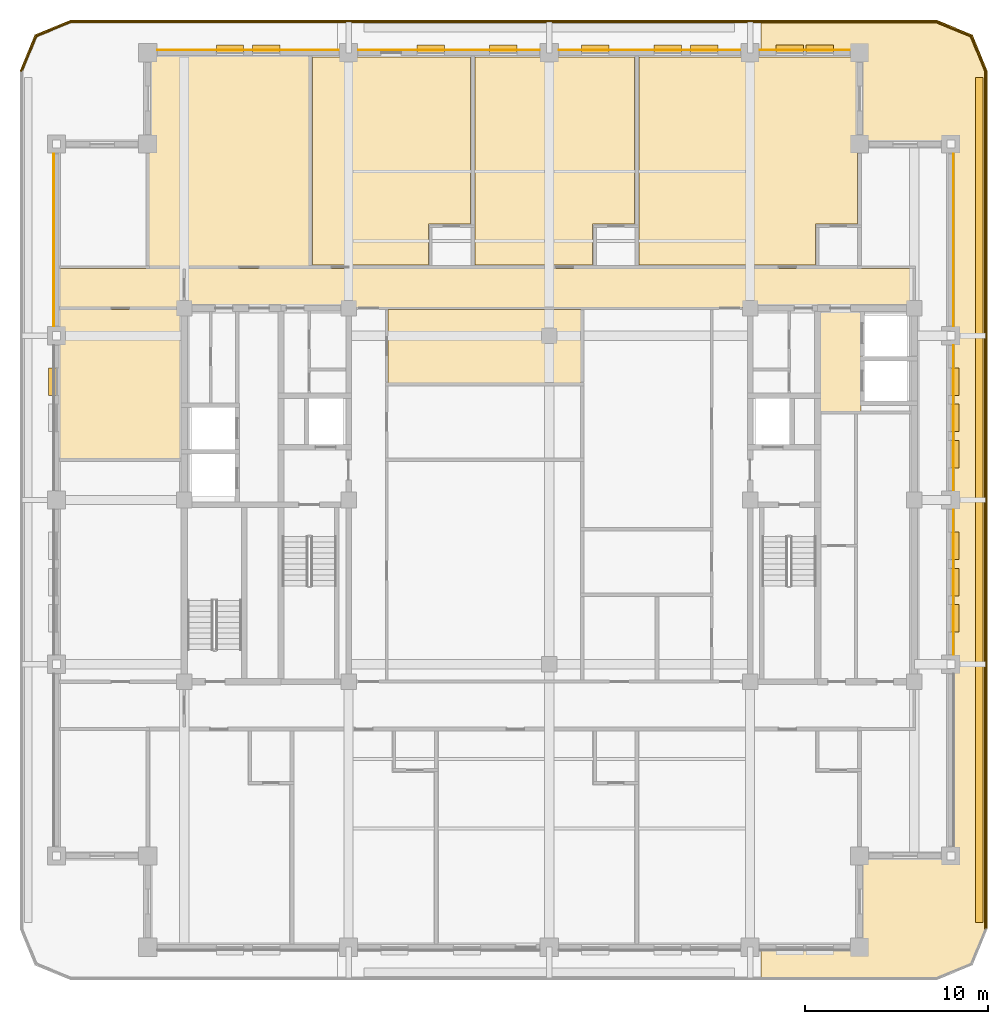
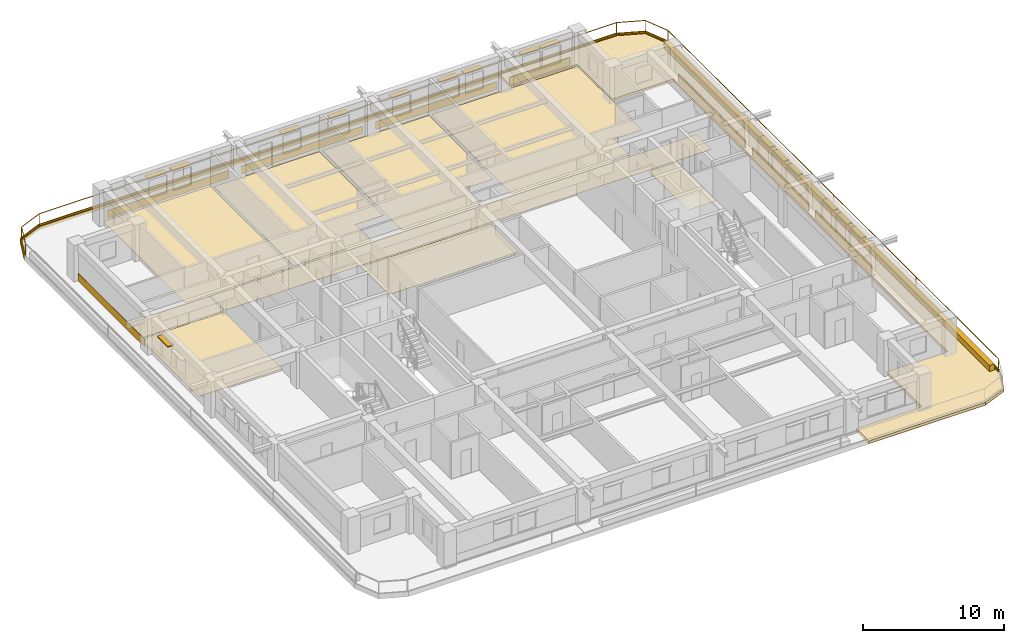
# One storey, part 14 of 14: 25 coverings, 16 shading devices, 2 railings.
"""IFC4 building model written with IfcOpenShell, lengths in metres."""

from ifc_helpers import new_model, si_unit, direction, frame, frame_2d, origin, origin_2d, place, context, subcontext, project, spatial, polyline, rectangle, outline, extrude, material, layer, layer_set, type_object, element, save


model = new_model("IFC4")

# Units and contexts
model_context = context("Model", 3, precision=1e-05, world=origin(), true_north=direction((0.0, 1.0)))
body_context = subcontext(model_context, "Body", "Model", "MODEL_VIEW")
ifc_project = project(units=[si_unit("LENGTHUNIT", "METRE"), si_unit("AREAUNIT", "SQUARE_METRE"), si_unit("VOLUMEUNIT", "CUBIC_METRE"), si_unit("PLANEANGLEUNIT", "RADIAN"), si_unit("MASSUNIT", "GRAM", prefix="KILO")], contexts=[model_context])

# Site, building, storey
site_placement = place(None, origin())
site = spatial("IfcSite", under=ifc_project, at=site_placement, CompositionType="ELEMENT")
building_placement = place(site_placement, origin())
building = spatial("IfcBuilding", under=site, at=building_placement, Name="Zulmaris Gate Convention Tower", CompositionType="ELEMENT")
storey_placement = place(building_placement, frame((0.0, 0.0, 205.06005859375)))
storey = spatial("IfcBuildingStorey", under=building, at=storey_placement, Name="L53", CompositionType="ELEMENT", Elevation=205.06005859375)

# Coverings
ifc_material_1 = material(Name="Precast concrete C40/50", Category="concrete")
ifc_layer_1 = layer(ifc_material_1, 0.0400390625, Name="Precast concrete C40/50")
ifc_layer_set_1 = layer_set([ifc_layer_1], Name="Precast concrete C40/50")
covering_type_1 = type_object("IfcCoveringType", Name="CLAD-SPANDREL-PRECAST", PredefinedType="CLADDING", material=ifc_layer_set_1)
for number, where, z_axis, x_axis, name in (
    (1, (-11.530029296875, 24.64990234375, 0.0), (0.0, 0.0, 1.0), (-1.0, 0.0, 0.0), "CLD-L53-N-0_0"),
    (2, (-0.530029296875, 24.64990234375, 0.0), (0.0, 0.0, 1.0), (-1.0, 0.0, 0.0), "CLD-L53-N-1_0"),
    (3, (10.469970703125, 24.64990234375, 0.0), (0.0, 0.0, 1.0), (-1.0, 0.0, 0.0), "CLD-L53-N-2_0"),
):
    element("IfcCovering", number, at=place(storey_placement, frame(where, z_axis=z_axis, x_axis=x_axis)), inside=storey, type_object=covering_type_1, Name=name, PredefinedType="CLADDING", context=body_context, shape_type="SweptSolid", body=[
        extrude(rectangle(XDim=9.93994140625, YDim=0.0400390625, at=frame_2d((4.969970703125, 0.0))), origin(), (0.0, 0.0, 1.0), 0.679931640625),
    ])
covering_1_placement = place(storey_placement, frame((16.469970703125, 24.64990234375, 0.0), z_axis=(0.0, 0.0, 1.0), x_axis=(-1.0, 0.0, 0.0)))
element("IfcCovering", 4, at=covering_1_placement, inside=storey, type_object=covering_type_1, Name="CLD-L53-N-3_0", PredefinedType="CLADDING", context=body_context, shape_type="SweptSolid", body=[
    extrude(rectangle(XDim=4.93994140625, YDim=0.0400390625, at=frame_2d((2.469970703125, 0.0))), origin(), (0.0, 0.0, 1.0), 0.679931640625),
])
for number, where, z_axis, x_axis, name in (
    (5, (22.14990234375, -8.469970703125, 0.0), (0.0, 0.0, 1.0), (0.0, 1.0, 0.0), "CLD-L53-E-1_0"),
    (6, (22.14990234375, 0.530029296875, 0.0), (0.0, 0.0, 1.0), (0.0, 1.0, 0.0), "CLD-L53-E-2_0"),
):
    element("IfcCovering", number, at=place(storey_placement, frame(where, z_axis=z_axis, x_axis=x_axis)), inside=storey, type_object=covering_type_1, Name=name, PredefinedType="CLADDING", context=body_context, shape_type="SweptSolid", body=[
        extrude(rectangle(XDim=7.93994140625, YDim=0.0400390625, at=frame_2d((3.969970703125, 0.0))), origin(), (0.0, 0.0, 1.0), 0.679931640625),
    ])
for number, where, z_axis, x_axis, name in (
    (7, (22.14990234375, 9.530029296875, 0.0), (0.0, 0.0, 1.0), (0.0, 1.0, 0.0), "CLD-L53-E-3_0"),
    (8, (-27.14990234375, 18.969970703125, 0.0), (0.0, 0.0, 1.0), (0.0, -1.0, 0.0), "CLD-L53-W-3_0"),
):
    element("IfcCovering", number, at=place(storey_placement, frame(where, z_axis=z_axis, x_axis=x_axis)), inside=storey, type_object=covering_type_1, Name=name, PredefinedType="CLADDING", context=body_context, shape_type="SweptSolid", body=[
        extrude(rectangle(XDim=9.43994140625, YDim=0.0400390625, at=frame_2d((4.719970703125, 0.0))), origin(), (0.0, 0.0, 1.0), 0.679931640625),
    ])
ifc_material_2 = material(Name="White Glazed Architectural Precast Concrete C40/50", Category="concrete")
ifc_layer_2 = layer(ifc_material_2, 0.239990234375, Name="White Glazed Architectural Precast Concrete C40/50")
ifc_layer_set_2 = layer_set([ifc_layer_2], Name="White Glazed Architectural Precast Concrete C40/50")
covering_type_2 = type_object("IfcCoveringType", Name="CLAD-TRAY-DECK", PredefinedType="CLADDING", material=ifc_layer_set_2)
covering_2_placement = place(storey_placement, frame((0.0, 0.0, -0.25)))
element("IfcCovering", 9, at=covering_2_placement, inside=storey, type_object=covering_type_2, Name="L53 East Rounded-Fascia Planter Tray Deck", PredefinedType="CLADDING", context=body_context, shape_type="SweptSolid", body=[
    extrude(outline(polyline([(21.199951171875, 26.300048828125), (23.179931640625, 25.47998046875), (24.0, 23.5), (24.0, -23.5), (23.179931640625, -25.47998046875), (21.199951171875, -26.300048828125), (11.60205078125, -26.300048828125), (11.60205078125, -24.5), (17.0, -24.5), (17.0, -19.5), (22.0, -19.5), (22.0, 19.5), (17.0, 19.5), (17.0, 24.5), (11.60205078125, 24.5), (11.60205078125, 26.300048828125), (21.199951171875, 26.300048828125)])), origin(), (0.0, 0.0, 1.0), 0.239990234375),
])
ifc_layer_3 = layer(ifc_material_2, 0.080078125, Name="White Glazed Architectural Precast Concrete C40/50")
ifc_layer_set_3 = layer_set([ifc_layer_3], Name="White Glazed Architectural Precast Concrete C40/50")
covering_type_3 = type_object("IfcCoveringType", Name="CLAD-TRAY-FASCIA", PredefinedType="CLADDING", material=ifc_layer_set_3)
covering_3_placement = place(storey_placement, frame((23.9599609375, -23.5, -0.2900390625), z_axis=(0.0, 0.0, 1.0), x_axis=(0.0, 1.0, 0.0)))
element("IfcCovering", 10, at=covering_3_placement, inside=storey, type_object=covering_type_3, Name="FSC-L53-TR-05", PredefinedType="CLADDING", context=body_context, shape_type="SweptSolid", body=[
    extrude(rectangle(XDim=47.0, YDim=0.080078125, at=frame_2d((23.5, 0.0))), origin(), (0.0, 0.0, 1.0), 0.440185546875),
])
covering_4_placement = place(storey_placement, frame((23.962890625, 23.484619140625, -0.2900390625), z_axis=(0.0, 0.0, 1.0), x_axis=(-0.382656984709, 0.923890487046, 0.0)))
element("IfcCovering", 11, at=covering_4_placement, inside=storey, type_object=covering_type_3, Name="FSC-L53-TR-06", PredefinedType="CLADDING", context=body_context, shape_type="SweptSolid", body=[
    extrude(rectangle(XDim=2.14306640625, YDim=0.080078125, at=frame_2d((1.071533203125, 0.0))), origin(), (0.0, 0.0, 1.0), 0.440185546875),
])
covering_5_placement = place(storey_placement, frame((23.16455078125, 25.44287109375, -0.2900390625), z_axis=(0.0, 0.0, 1.0), x_axis=(-0.923873803533, 0.382697263049, 0.0)))
element("IfcCovering", 12, at=covering_5_placement, inside=storey, type_object=covering_type_3, Name="FSC-L53-TR-07", PredefinedType="CLADDING", context=body_context, shape_type="SweptSolid", body=[
    extrude(rectangle(XDim=2.142822265625, YDim=0.080078125, at=frame_2d((1.0712890625, 0.0))), origin(), (0.0, 0.0, 1.0), 0.440185546875),
])
covering_6_placement = place(storey_placement, frame((21.199951171875, 26.260009765625, -0.2900390625), z_axis=(0.0, 0.0, 1.0), x_axis=(-1.0, 0.0, 0.0)))
element("IfcCovering", 13, at=covering_6_placement, inside=storey, type_object=covering_type_3, Name="FSC-L53-TR-08", PredefinedType="CLADDING", context=body_context, shape_type="SweptSolid", body=[
    extrude(rectangle(XDim=47.39990234375, YDim=0.080078125, at=frame_2d((23.699951171875, 0.0))), origin(), (0.0, 0.0, 1.0), 0.440185546875),
])
covering_7_placement = place(storey_placement, frame((-26.184814453125, 26.262939453125, -0.2900390625), z_axis=(0.0, 0.0, 1.0), x_axis=(-0.923873803533, -0.382697263049, 0.0)))
element("IfcCovering", 14, at=covering_7_placement, inside=storey, type_object=covering_type_3, Name="FSC-L53-TR-09", PredefinedType="CLADDING", context=body_context, shape_type="SweptSolid", body=[
    extrude(rectangle(XDim=2.142822265625, YDim=0.080078125, at=frame_2d((1.0712890625, 0.0))), origin(), (0.0, 0.0, 1.0), 0.440185546875),
])
covering_8_placement = place(storey_placement, frame((-28.142822265625, 25.464599609375, -0.2900390625), z_axis=(0.0, 0.0, 1.0), x_axis=(-0.382656984709, -0.923890487046, 0.0)))
element("IfcCovering", 15, at=covering_8_placement, inside=storey, type_object=covering_type_3, Name="FSC-L53-TR-10", PredefinedType="CLADDING", context=body_context, shape_type="SweptSolid", body=[
    extrude(rectangle(XDim=2.14306640625, YDim=0.080078125, at=frame_2d((1.071533203125, 0.0))), origin(), (0.0, 0.0, 1.0), 0.440185546875),
])
ifc_material_3 = material(Name="Woven Acoustic Wool Carpet Tile")
ifc_layer_4 = layer(ifc_material_3, 0.02001953125, Name="Woven Acoustic Wool Carpet Tile")
ifc_layer_set_4 = layer_set([ifc_layer_4], Name="Woven Acoustic Wool Carpet Tile")
covering_type_4 = type_object("IfcCoveringType", Name="FLR-CARPET-12", PredefinedType="FLOORING", material=ifc_layer_set_4)
covering_9_placement = place(storey_placement, origin())
element("IfcCovering", 16, at=covering_9_placement, inside=storey, type_object=covering_type_4, Name="FLR-L53-R26", PredefinedType="FLOORING", context=body_context, shape_type="SweptSolid", body=[
    extrude(outline(polyline([(14.760009765625, 4.860107421875), (17.090087890625, 4.860107421875), (17.090087890625, 10.43994140625), (14.760009765625, 10.43994140625), (14.760009765625, 4.860107421875)])), origin(), (0.0, 0.0, 1.0), 0.02001953125),
])
covering_10_placement = place(storey_placement, origin())
element("IfcCovering", 17, at=covering_10_placement, inside=storey, type_object=covering_type_4, Name="FLR-L53-R32", PredefinedType="FLOORING", context=body_context, shape_type="SweptSolid", body=[
    extrude(outline(polyline([(-19.93994140625, 10.56005859375), (19.93994140625, 10.56005859375), (19.93994140625, 12.68994140625), (-19.93994140625, 12.68994140625), (-19.93994140625, 10.56005859375)])), origin(), (0.0, 0.0, 1.0), 0.02001953125),
])
covering_11_placement = place(storey_placement, origin())
element("IfcCovering", 18, at=covering_11_placement, inside=storey, type_object=covering_type_4, Name="FLR-L53-R58", PredefinedType="FLOORING", context=body_context, shape_type="SweptSolid", body=[
    extrude(outline(polyline([(-26.93994140625, 10.56005859375), (-20.06005859375, 10.56005859375), (-20.06005859375, 12.68994140625), (-26.93994140625, 12.68994140625), (-26.93994140625, 10.56005859375)])), origin(), (0.0, 0.0, 1.0), 0.02001953125),
])
ifc_material_4 = material(Name="Engineered Teak Parquet Flooring")
ifc_layer_5 = layer(ifc_material_4, 0.02001953125, Name="Engineered Teak Parquet Flooring")
ifc_layer_set_5 = layer_set([ifc_layer_5], Name="Engineered Teak Parquet Flooring")
covering_type_5 = type_object("IfcCoveringType", Name="FLR-TIMBER-18", PredefinedType="FLOORING", material=ifc_layer_set_5)
covering_12_placement = place(storey_placement, origin())
element("IfcCovering", 19, at=covering_12_placement, inside=storey, type_object=covering_type_5, Name="FLR-L53-R36", PredefinedType="FLOORING", context=body_context, shape_type="SweptSolid", body=[
    extrude(outline(polyline([(-21.93994140625, 12.81005859375), (-13.159912109375, 12.81005859375), (-13.159912109375, 24.43994140625), (-21.93994140625, 24.43994140625), (-21.93994140625, 12.81005859375)])), origin(), (0.0, 0.0, 1.0), 0.02001953125),
])
covering_13_placement = place(storey_placement, origin())
element("IfcCovering", 20, at=covering_13_placement, inside=storey, type_object=covering_type_5, Name="FLR-L53-R38", PredefinedType="FLOORING", context=body_context, shape_type="SweptSolid", body=[
    extrude(outline(polyline([(-12.97998046875, 12.8701171875), (-6.6201171875, 12.8701171875), (-6.6201171875, 15.1201171875), (-4.320068359375, 15.1201171875), (-4.320068359375, 24.260009765625), (-12.97998046875, 24.260009765625), (-12.97998046875, 12.8701171875)])), origin(), (0.0, 0.0, 1.0), 0.02001953125),
])
covering_14_placement = place(storey_placement, origin())
element("IfcCovering", 21, at=covering_14_placement, inside=storey, type_object=covering_type_5, Name="FLR-L53-R40", PredefinedType="FLOORING", context=body_context, shape_type="SweptSolid", body=[
    extrude(outline(polyline([(-4.080078125, 12.8701171875), (2.3798828125, 12.8701171875), (2.3798828125, 15.1201171875), (4.679931640625, 15.1201171875), (4.679931640625, 24.260009765625), (-4.080078125, 24.260009765625), (-4.080078125, 12.8701171875)])), origin(), (0.0, 0.0, 1.0), 0.02001953125),
])
covering_15_placement = place(storey_placement, origin())
element("IfcCovering", 22, at=covering_15_placement, inside=storey, type_object=covering_type_5, Name="FLR-L53-R42", PredefinedType="FLOORING", context=body_context, shape_type="SweptSolid", body=[
    extrude(outline(polyline([(4.919921875, 12.8701171875), (14.580078125, 12.8701171875), (14.580078125, 15.1201171875), (16.8798828125, 15.1201171875), (16.8798828125, 24.260009765625), (4.919921875, 24.260009765625), (4.919921875, 12.8701171875)])), origin(), (0.0, 0.0, 1.0), 0.02001953125),
])
covering_16_placement = place(storey_placement, origin())
element("IfcCovering", 23, at=covering_16_placement, inside=storey, type_object=covering_type_5, Name="FLR-L53-R51", PredefinedType="FLOORING", context=body_context, shape_type="SweptSolid", body=[
    extrude(outline(polyline([(-8.840087890625, 6.409912109375), (1.739990234375, 6.409912109375), (1.739990234375, 10.43994140625), (-8.840087890625, 10.43994140625), (-8.840087890625, 6.409912109375)])), origin(), (0.0, 0.0, 1.0), 0.02001953125),
])
covering_17_placement = place(storey_placement, origin())
element("IfcCovering", 24, at=covering_17_placement, inside=storey, type_object=covering_type_5, Name="FLR-L53-R60", PredefinedType="FLOORING", context=body_context, shape_type="SweptSolid", body=[
    extrude(outline(polyline([(-26.93994140625, 2.260009765625), (-20.06005859375, 2.260009765625), (-20.06005859375, 10.43994140625), (-26.93994140625, 10.43994140625), (-26.93994140625, 2.260009765625)])), origin(), (0.0, 0.0, 1.0), 0.02001953125),
])
ifc_material_5 = material(Name="Botanical Green Glazed Precast Concrete C40/50", Category="concrete")
ifc_layer_6 = layer(ifc_material_5, 0.419921875, Name="Botanical Green Glazed Precast Concrete C40/50")
ifc_layer_set_6 = layer_set([ifc_layer_6], Name="Botanical Green Glazed Precast Concrete C40/50")
covering_type_6 = type_object("IfcCoveringType", Name="PLANTER-BOX-200", PredefinedType="CLADDING", material=ifc_layer_set_6)
covering_18_placement = place(storey_placement, frame((0.0, 0.0, -0.010009765625)))
element("IfcCovering", 25, at=covering_18_placement, inside=storey, type_object=covering_type_6, Name="L53 E Full-Length Balcony Tree Planter Trough", PredefinedType="CLADDING", context=body_context, shape_type="SweptSolid", body=[
    extrude(outline(polyline([(23.340087890625, -23.14990234375), (23.760009765625, -23.14990234375), (23.760009765625, 23.14990234375), (23.340087890625, 23.14990234375), (23.340087890625, -23.14990234375)])), origin(), (0.0, 0.0, 1.0), 0.52001953125),
])

# Railings
ifc_material_6 = material(Name="Laminated Glass and Stainless Steel", Category="steel")
railing_type = type_object("IfcRailingType", Name="RL-BALC-1150", PredefinedType="BALUSTRADE", material=ifc_material_6)
railing_1_placement = place(storey_placement, frame((23.8798828125, -23.5, -0.010009765625)))
element("IfcRailing", 26, at=railing_1_placement, inside=storey, type_object=railing_type, Name="RL-L53-BALC-E", PredefinedType="BALUSTRADE", context=body_context, shape_type="SweptSolid", body=[
    extrude(rectangle(XDim=0.048095703125, YDim=0.048095703125, at=origin_2d()), frame((0.0, 0.0, 1.1259765625), z_axis=(0.0, 1.0, 0.0), x_axis=(-1.0, 0.0, 0.0)), (0.0, 0.0, 1.0), 47.0),
    extrude(rectangle(XDim=0.048095703125, YDim=0.048095703125, at=origin_2d()), frame((0.0, 0.0, 0.02392578125), z_axis=(0.0, 1.0, 0.0), x_axis=(-1.0, 0.0, 0.0)), (0.0, 0.0, 1.0), 47.0),
    extrude(rectangle(XDim=0.0419921875, YDim=0.0419921875, at=origin_2d()), origin(), (0.0, 0.0, 1.0), 1.101806640625),
    extrude(rectangle(XDim=0.0419921875, YDim=0.0419921875, at=origin_2d()), frame((0.0, 11.75, 0.0)), (0.0, 0.0, 1.0), 1.101806640625),
    extrude(rectangle(XDim=0.0419921875, YDim=0.0419921875, at=origin_2d()), frame((0.0, 23.5, 0.0)), (0.0, 0.0, 1.0), 1.101806640625),
    extrude(rectangle(XDim=0.0419921875, YDim=0.0419921875, at=origin_2d()), frame((0.0, 35.25, 0.0)), (0.0, 0.0, 1.0), 1.101806640625),
    extrude(rectangle(XDim=0.0419921875, YDim=0.0419921875, at=origin_2d()), frame((0.0, 47.0, 0.0)), (0.0, 0.0, 1.0), 1.101806640625),
])
railing_2_placement = place(storey_placement, frame((23.8798828125, 23.5, -0.010009765625)))
element("IfcRailing", 27, at=railing_2_placement, inside=storey, type_object=railing_type, Name="RL-L53-BALC-N", PredefinedType="BALUSTRADE", context=body_context, shape_type="SweptSolid", body=[
    extrude(rectangle(XDim=0.048095703125, YDim=0.048095703125, at=origin_2d()), frame((0.0, 0.0, 1.1259765625), z_axis=(-0.382670664694, 0.92388482095, 0.0), x_axis=(-0.92388482095, -0.382670664694, 0.0)), (0.0, 0.0, 1.0), 2.051025390625),
    extrude(rectangle(XDim=0.048095703125, YDim=0.048095703125, at=origin_2d()), frame((0.0, 0.0, 0.02392578125), z_axis=(-0.382670664694, 0.92388482095, 0.0), x_axis=(-0.92388482095, -0.382670664694, 0.0)), (0.0, 0.0, 1.0), 2.051025390625),
    extrude(rectangle(XDim=0.048095703125, YDim=0.048095703125, at=origin_2d()), frame((-0.784912109375, 1.89501953125, 1.1259765625), z_axis=(-0.92388482095, 0.382670664694, 0.0), x_axis=(-0.382670664694, -0.92388482095, 0.0)), (0.0, 0.0, 1.0), 2.051025390625),
    extrude(rectangle(XDim=0.048095703125, YDim=0.048095703125, at=origin_2d()), frame((-0.784912109375, 1.89501953125, 0.02392578125), z_axis=(-0.92388482095, 0.382670664694, 0.0), x_axis=(-0.382670664694, -0.92388482095, 0.0)), (0.0, 0.0, 1.0), 2.051025390625),
    extrude(rectangle(XDim=0.048095703125, YDim=0.048095703125, at=origin_2d()), frame((-2.679931640625, 2.679931640625, 1.1259765625), z_axis=(-1.0, 0.0, 0.0), x_axis=(0.0, -1.0, 0.0)), (0.0, 0.0, 1.0), 47.39990234375),
    extrude(rectangle(XDim=0.048095703125, YDim=0.048095703125, at=origin_2d()), frame((-2.679931640625, 2.679931640625, 0.02392578125), z_axis=(-1.0, 0.0, 0.0), x_axis=(0.0, -1.0, 0.0)), (0.0, 0.0, 1.0), 47.39990234375),
    extrude(rectangle(XDim=0.048095703125, YDim=0.048095703125, at=origin_2d()), frame((-50.079833984375, 2.679931640625, 1.1259765625), z_axis=(-0.92388482095, -0.382670664694, 0.0), x_axis=(0.382670664694, -0.92388482095, 0.0)), (0.0, 0.0, 1.0), 2.051025390625),
    extrude(rectangle(XDim=0.048095703125, YDim=0.048095703125, at=origin_2d()), frame((-50.079833984375, 2.679931640625, 0.02392578125), z_axis=(-0.92388482095, -0.382670664694, 0.0), x_axis=(0.382670664694, -0.92388482095, 0.0)), (0.0, 0.0, 1.0), 2.051025390625),
    extrude(rectangle(XDim=0.048095703125, YDim=0.048095703125, at=origin_2d()), frame((-51.974853515625, 1.89501953125, 1.1259765625), z_axis=(-0.382670664694, -0.92388482095, 0.0), x_axis=(0.92388482095, -0.382670664694, 0.0)), (0.0, 0.0, 1.0), 2.051025390625),
    extrude(rectangle(XDim=0.048095703125, YDim=0.048095703125, at=origin_2d()), frame((-51.974853515625, 1.89501953125, 0.02392578125), z_axis=(-0.382670664694, -0.92388482095, 0.0), x_axis=(0.92388482095, -0.382670664694, 0.0)), (0.0, 0.0, 1.0), 2.051025390625),
    extrude(rectangle(XDim=0.0419921875, YDim=0.0419921875, at=origin_2d()), origin(), (0.0, 0.0, 1.0), 1.101806640625),
    extrude(rectangle(XDim=0.0419921875, YDim=0.0419921875, at=origin_2d()), frame((-0.784912109375, 1.89501953125, 0.0)), (0.0, 0.0, 1.0), 1.101806640625),
    extrude(rectangle(XDim=0.0419921875, YDim=0.0419921875, at=origin_2d()), frame((-2.679931640625, 2.679931640625, 0.0)), (0.0, 0.0, 1.0), 1.101806640625),
    extrude(rectangle(XDim=0.0419921875, YDim=0.0419921875, at=origin_2d()), frame((-14.52978515625, 2.679931640625, 0.0)), (0.0, 0.0, 1.0), 1.101806640625),
    extrude(rectangle(XDim=0.0419921875, YDim=0.0419921875, at=origin_2d()), frame((-26.3798828125, 2.679931640625, 0.0)), (0.0, 0.0, 1.0), 1.101806640625),
    extrude(rectangle(XDim=0.0419921875, YDim=0.0419921875, at=origin_2d()), frame((-38.22998046875, 2.679931640625, 0.0)), (0.0, 0.0, 1.0), 1.101806640625),
    extrude(rectangle(XDim=0.0419921875, YDim=0.0419921875, at=origin_2d()), frame((-50.079833984375, 2.679931640625, 0.0)), (0.0, 0.0, 1.0), 1.101806640625),
    extrude(rectangle(XDim=0.0419921875, YDim=0.0419921875, at=origin_2d()), frame((-51.974853515625, 1.89501953125, 0.0)), (0.0, 0.0, 1.0), 1.101806640625),
    extrude(rectangle(XDim=0.0419921875, YDim=0.0419921875, at=origin_2d()), frame((-52.759765625, 0.0, 0.0)), (0.0, 0.0, 1.0), 1.101806640625),
])

# Shading devices
ifc_material_7 = material(Name="Glazed Ceramic Terracotta", Category="masonry")
ifc_layer_7 = layer(ifc_material_7, 0.070068359375, Name="Glazed Ceramic Terracotta")
ifc_layer_set_7 = layer_set([ifc_layer_7], Name="Glazed Ceramic Terracotta")
shading_device_type = type_object("IfcShadingDeviceType", Name="SHD-SUNSHADE-TC", PredefinedType="AWNING", material=ifc_layer_set_7)
for number, where, z_axis, x_axis, name in (
    (28, (-14.756103515625, 24.719970703125, 2.35009765625), (0.0, 0.0, 1.0), (-1.0, 0.0, 0.0), "SHD-EW-L53-N-0_0-2"),
    (29, (-16.743896484375, 24.719970703125, 2.35009765625), (0.0, 0.0, 1.0), (-1.0, 0.0, 0.0), "SHD-EW-L53-N-0_0-3"),
    (30, (-1.76806640625, 24.719970703125, 2.35009765625), (0.0, 0.0, 1.0), (-1.0, 0.0, 0.0), "SHD-EW-L53-N-1_0-1"),
    (31, (-5.743896484375, 24.719970703125, 2.35009765625), (0.0, 0.0, 1.0), (-1.0, 0.0, 0.0), "SHD-EW-L53-N-1_0-3"),
    (32, (9.23193359375, 24.719970703125, 2.35009765625), (0.0, 0.0, 1.0), (-1.0, 0.0, 0.0), "SHD-EW-L53-N-2_0-1"),
    (33, (7.243896484375, 24.719970703125, 2.35009765625), (0.0, 0.0, 1.0), (-1.0, 0.0, 0.0), "SHD-EW-L53-N-2_0-2"),
    (34, (3.26806640625, 24.719970703125, 2.35009765625), (0.0, 0.0, 1.0), (-1.0, 0.0, 0.0), "SHD-EW-L53-N-2_0-4"),
    (35, (15.572998046875, 24.719970703125, 2.35009765625), (0.0, 0.0, 1.0), (-1.0, 0.0, 0.0), "SHD-EW-L53-N-3_0-1"),
    (36, (13.927001953125, 24.719970703125, 2.35009765625), (0.0, 0.0, 1.0), (-1.0, 0.0, 0.0), "SHD-EW-L53-N-3_0-2"),
    (37, (22.219970703125, -7.235107421875, 2.35009765625), (0.0, 0.0, 1.0), (0.0, 1.0, 0.0), "SHD-EW-L53-E-1_0-1"),
    (38, (22.219970703125, -5.25, 2.35009765625), (0.0, 0.0, 1.0), (0.0, 1.0, 0.0), "SHD-EW-L53-E-1_0-2"),
    (39, (22.219970703125, -3.264892578125, 2.35009765625), (0.0, 0.0, 1.0), (0.0, 1.0, 0.0), "SHD-EW-L53-E-1_0-3"),
    (40, (22.219970703125, 1.764892578125, 2.35009765625), (0.0, 0.0, 1.0), (0.0, 1.0, 0.0), "SHD-EW-L53-E-2_0-1"),
    (41, (22.219970703125, 3.75, 2.35009765625), (0.0, 0.0, 1.0), (0.0, 1.0, 0.0), "SHD-EW-L53-E-2_0-2"),
    (42, (22.219970703125, 5.735107421875, 2.35009765625), (0.0, 0.0, 1.0), (0.0, 1.0, 0.0), "SHD-EW-L53-E-2_0-3"),
    (43, (-27.219970703125, 7.235107421875, 2.35009765625), (0.0, 0.0, 1.0), (0.0, -1.0, 0.0), "SHD-EW-L53-W-2_0-1"),
):
    element("IfcShadingDevice", number, at=place(storey_placement, frame(where, z_axis=z_axis, x_axis=x_axis)), inside=storey, type_object=shading_device_type, Name=name, PredefinedType="AWNING", context=body_context, shape_type="SweptSolid", body=[
        extrude(rectangle(XDim=1.5, YDim=0.43994140625, at=frame_2d((0.75, 0.0))), origin(), (0.0, 0.0, 1.0), 0.06982421875),
    ])

save(model, "model.ifc")
